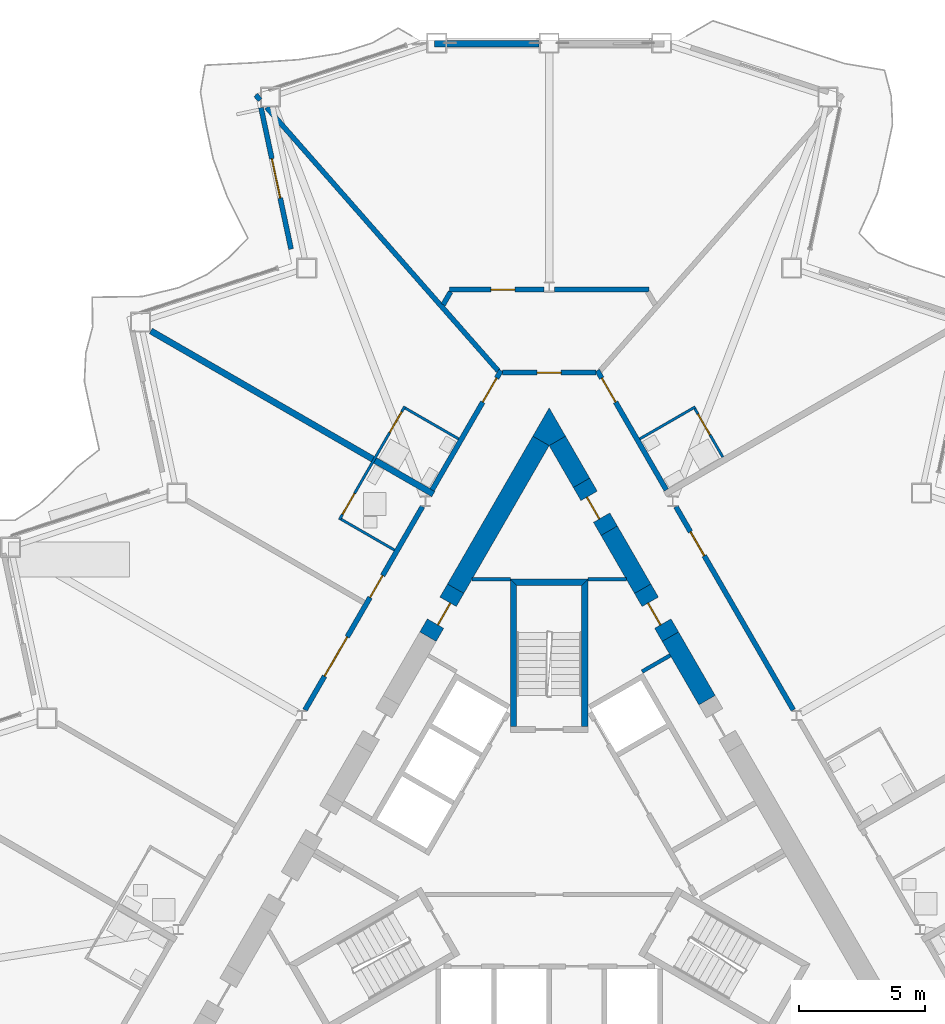
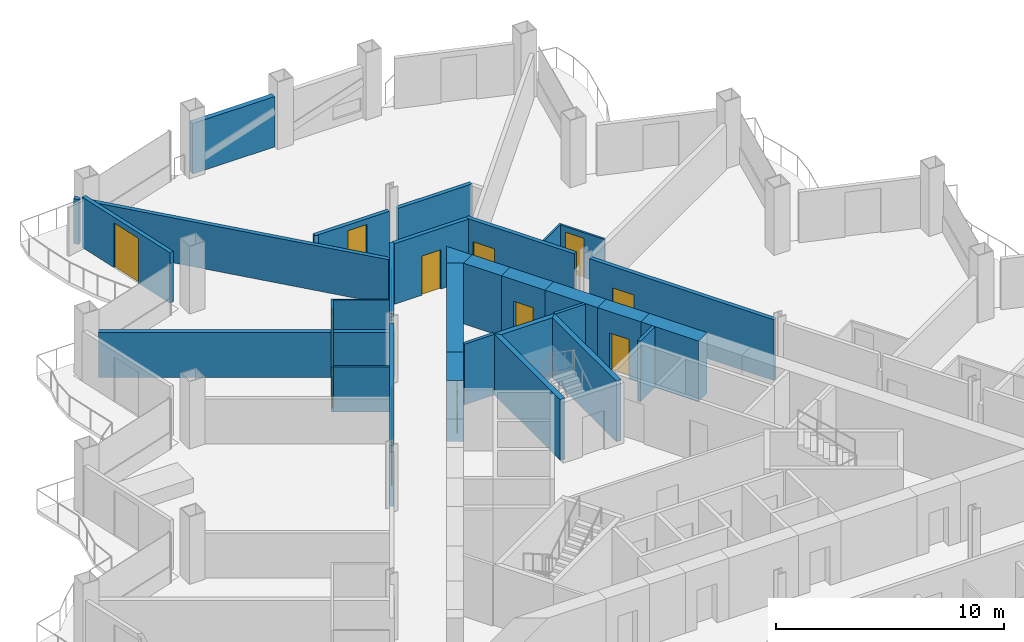
# One storey, part 14 of 23: 32 walls, 14 doors, 14 openings.
"""IFC4 building model written with IfcOpenShell, lengths in metres."""

from ifc_helpers import new_model, si_unit, direction, frame, frame_2d, origin, place, context, subcontext, project, spatial, polyline, rectangle, outline, extrude, material, layer, layer_set, type_object, element, fill, save


model = new_model("IFC4")

# Units and contexts
model_context = context("Model", 3, precision=1e-05, world=origin(), true_north=direction((0.0, 1.0)))
body_context = subcontext(model_context, "Body", "Model", "MODEL_VIEW")
ifc_project = project(units=[si_unit("LENGTHUNIT", "METRE"), si_unit("AREAUNIT", "SQUARE_METRE"), si_unit("VOLUMEUNIT", "CUBIC_METRE"), si_unit("PLANEANGLEUNIT", "RADIAN"), si_unit("MASSUNIT", "GRAM", prefix="KILO")], contexts=[model_context])

# Site, building, storey
site_placement = place(None, origin())
site = spatial("IfcSite", under=ifc_project, at=site_placement, CompositionType="ELEMENT")
building_placement = place(site_placement, origin())
building = spatial("IfcBuilding", under=site, at=building_placement, Name="Cormorant Prow Tower", CompositionType="ELEMENT")
storey_placement = place(building_placement, frame((0.0, 0.0, 176.39990234375)))
storey = spatial("IfcBuildingStorey", under=building, at=storey_placement, Name="L37", CompositionType="ELEMENT", Elevation=176.39990234375)

# Walls
ifc_material_1 = material(Name="Gypsum board partition")
ifc_layer_1 = layer(ifc_material_1, 0.14990234375)
ifc_layer_set_1 = layer_set([ifc_layer_1], Name="Gypsum board partition")
wall_type_1 = type_object("IfcWallType", Name="Core partition 150", PredefinedType="PARTITIONING", material=ifc_layer_set_1)
wall_1_placement = place(storey_placement, frame((3.693359375, 7.4150390625, 0.0), z_axis=(0.0, 0.0, 1.0), x_axis=(0.866003189247, 0.500038474733, 0.0)))
element("IfcWall", 1, at=wall_1_placement, inside=storey, type_object=wall_type_1, Name="Service room partition", PredefinedType="PARTITIONING", context=body_context, shape_type="SweptSolid", body=[
    extrude(rectangle(XDim=1.29296875, YDim=0.14990234375, at=frame_2d((0.646484375, 0.0))), origin(), (0.0, 0.0, 1.0), 3.25),
])
for number, where, z_axis, x_axis, name in (
    (2, (1.5439453125, 11.0869140625, 0.0), (0.0, 0.0, 1.0), (1.0, 0.0, 0.0), "Service room partition"),
    (3, (-1.5439453125, 11.0869140625, 0.0), (0.0, 0.0, 1.0), (-1.0, 0.0, 0.0), "Service room partition"),
):
    element("IfcWall", number, at=place(storey_placement, frame(where, z_axis=z_axis, x_axis=x_axis)), inside=storey, type_object=wall_type_1, Name=name, PredefinedType="PARTITIONING", context=body_context, shape_type="SweptSolid", body=[
        extrude(rectangle(XDim=1.5224609375, YDim=0.14990234375, at=frame_2d((0.76123046875, 0.0))), origin(), (0.0, 0.0, 1.0), 3.25),
    ])
ifc_material_2 = material(Name="Concrete 8000 psi", Category="concrete")
ifc_layer_2 = layer(ifc_material_2, 0.75)
ifc_layer_set_2 = layer_set([ifc_layer_2], Name="Concrete 8000 psi")
wall_type_2 = type_object("IfcWallType", Name="Core shear wall 750", PredefinedType="SHEAR", material=ifc_layer_set_2)
wall_2_placement = place(storey_placement, frame((6.275390625, 6.27880859375, 0.0), z_axis=(0.0, 0.0, 1.0), x_axis=(-0.500029273391, 0.866008502124, 0.0)))
element("IfcWall", 4, at=wall_2_placement, inside=storey, type_object=wall_type_2, Name="Core wall", PredefinedType="SHEAR", context=body_context, shape_type="SweptSolid", body=[
    extrude(rectangle(XDim=2.915771484375, YDim=0.75, at=frame_2d((1.4580078125, 0.0))), origin(), (0.0, 0.0, 1.0), 3.25),
])
wall_3_placement = place(storey_placement, frame((3.71728515625, 10.709228515625, 0.0), z_axis=(0.0, 0.0, 1.0), x_axis=(-0.500005599468, 0.866022170906, 0.0)))
element("IfcWall", 5, at=wall_3_placement, inside=storey, type_object=wall_type_2, Name="Core wall", PredefinedType="SHEAR", context=body_context, shape_type="SweptSolid", body=[
    extrude(rectangle(XDim=2.662109375, YDim=0.75, at=frame_2d((1.3310546875, 0.0))), origin(), (0.0, 0.0, 1.0), 3.25),
])
wall_4_placement = place(storey_placement, frame((1.286376953125, 14.919921875, 0.0), z_axis=(0.0, 0.0, 1.0), x_axis=(-0.500030129425, 0.866008007854, 0.0)))
element("IfcWall", 6, at=wall_4_placement, inside=storey, type_object=wall_type_2, Name="Core wall", PredefinedType="SHEAR", context=body_context, shape_type="SweptSolid", body=[
    extrude(rectangle(XDim=1.92333984375, YDim=0.75, at=frame_2d((0.961669921875, 0.0))), origin(), (0.0, 0.0, 1.0), 3.25),
])
wall_5_placement = place(storey_placement, frame((-0.32470703125, 16.58544921875, 0.0), z_axis=(0.0, 0.0, 1.0), x_axis=(-0.499993425452, -0.866029199568, 0.0)))
element("IfcWall", 7, at=wall_5_placement, inside=storey, type_object=wall_type_2, Name="Core wall", PredefinedType="SHEAR", context=body_context, shape_type="SweptSolid", body=[
    extrude(rectangle(XDim=6.78515625, YDim=0.75, at=frame_2d((3.392578125, 0.0))), origin(), (0.0, 0.0, 1.0), 3.25),
])
wall_6_placement = place(storey_placement, origin())
element("IfcWall", 8, at=wall_6_placement, inside=storey, type_object=wall_type_2, Name="Core wall corner", PredefinedType="SHEAR", context=body_context, shape_type="SweptSolid", body=[
    extrude(outline(polyline([(-0.6494140625, 16.77294921875), (0.0, 17.89794921875), (0.6494140625, 16.77294921875), (0.0, 16.39794921875), (-0.6494140625, 16.77294921875)])), origin(), (0.0, 0.0, 1.0), 3.25),
])

# Wall, opening, door
wall_7_placement = place(storey_placement, frame((2.38623046875, 13.0146484375, 0.0), z_axis=(0.0, 0.0, 1.0), x_axis=(-0.499946605688, 0.86605622881, 0.0)))
wall_7 = element("IfcWall", 9, at=wall_7_placement, inside=storey, type_object=wall_type_2, Name="Core wall door panel", PredefinedType="SHEAR", context=body_context, shape_type="SweptSolid", body=[
    extrude(rectangle(XDim=2.199951171875, YDim=0.75, at=frame_2d((1.10009765625, 0.0))), origin(), (0.0, 0.0, 1.0), 3.25),
])
opening_1_placement = place(wall_7_placement, frame((0.60009765625, 0.0, 0.0)))
opening_1 = element("IfcOpeningElement", 10, at=opening_1_placement, cuts=wall_7, Name="Opening L37-C20", PredefinedType="OPENING", context=body_context, shape_type="SweptSolid", body=[
    extrude(rectangle(XDim=1.0, YDim=2.10009765625, at=frame_2d((0.5, 1.050048828125))), frame((0.0, 0.385009765625, 0.0), z_axis=(0.0, -1.0, 0.0), x_axis=(1.0, 0.0, 0.0)), (0.0, 0.0, 1.0), 0.77001953125),
])
ifc_material_3 = material(Name="Painted steel", Category="steel")
door_type_1 = type_object("IfcDoorType", Name="Service door 1000x2100", OperationType="NOTDEFINED", PredefinedType="DOOR", material=ifc_material_3)
door_1_placement = place(opening_1_placement, origin())
door_1 = element("IfcDoor", 11, at=door_1_placement, inside=storey, type_object=door_type_1, Name="Core door, Mechanical riser room", OperationType="SINGLE_SWING_LEFT", OverallHeight=2.10009765625, OverallWidth=1.0, PredefinedType="DOOR", context=body_context, shape_type="SweptSolid", body=[
    extrude(rectangle(XDim=1.0, YDim=2.10009765625, at=frame_2d((0.5, 1.050048828125))), frame((0.0, 0.1298828125, 0.0), z_axis=(0.0, -1.0, 0.0), x_axis=(1.0, 0.0, 0.0)), (0.0, 0.0, 1.0), 0.050048828125),
])
fill(opening_1, door_1)

wall_8_placement = place(storey_placement, frame((4.8173828125, 8.803955078125, 0.0), z_axis=(0.0, 0.0, 1.0), x_axis=(-0.50002983664, 0.866008176907, 0.0)))
wall_8 = element("IfcWall", 12, at=wall_8_placement, inside=storey, type_object=wall_type_2, Name="Core wall door panel", PredefinedType="SHEAR", context=body_context, shape_type="SweptSolid", body=[
    extrude(rectangle(XDim=2.199951171875, YDim=0.75, at=frame_2d((1.10009765625, 0.0))), origin(), (0.0, 0.0, 1.0), 3.25),
])
opening_2_placement = place(wall_8_placement, frame((0.60009765625, 0.0, 0.0)))
opening_2 = element("IfcOpeningElement", 13, at=opening_2_placement, cuts=wall_8, Name="Opening L37-C23", PredefinedType="OPENING", context=body_context, shape_type="SweptSolid", body=[
    extrude(rectangle(XDim=1.0, YDim=2.10009765625, at=frame_2d((0.5, 1.050048828125))), frame((0.0, 0.385009765625, 0.0), z_axis=(0.0, -1.0, 0.0), x_axis=(1.0, 0.0, 0.0)), (0.0, 0.0, 1.0), 0.77001953125),
])
door_2_placement = place(opening_2_placement, origin())
door_2 = element("IfcDoor", 14, at=door_2_placement, inside=storey, type_object=door_type_1, Name="Core door, Mechanical riser room", OperationType="SINGLE_SWING_LEFT", OverallHeight=2.10009765625, OverallWidth=1.0, PredefinedType="DOOR", context=body_context, shape_type="SweptSolid", body=[
    extrude(rectangle(XDim=1.0, YDim=2.10009765625, at=frame_2d((0.5, 1.050048828125))), frame((0.0, 0.1298828125, 0.0), z_axis=(0.0, -1.0, 0.0), x_axis=(1.0, 0.0, 0.0)), (0.0, 0.0, 1.0), 0.050048828125),
])
fill(opening_2, door_2)

wall_9_placement = place(storey_placement, frame((-3.71728515625, 10.709228515625, 0.0), z_axis=(0.0, 0.0, 1.0), x_axis=(-0.50002983664, -0.866008176907, 0.0)))
wall_9 = element("IfcWall", 15, at=wall_9_placement, inside=storey, type_object=wall_type_2, Name="Core wall door panel", PredefinedType="SHEAR", context=body_context, shape_type="SweptSolid", body=[
    extrude(rectangle(XDim=2.199951171875, YDim=0.75, at=frame_2d((1.10009765625, 0.0))), origin(), (0.0, 0.0, 1.0), 3.25),
])
opening_3_placement = place(wall_9_placement, frame((0.60009765625, 0.0, 0.0)))
opening_3 = element("IfcOpeningElement", 16, at=opening_3_placement, cuts=wall_9, Name="Opening L37-C24", PredefinedType="OPENING", context=body_context, shape_type="SweptSolid", body=[
    extrude(rectangle(XDim=1.0, YDim=2.10009765625, at=frame_2d((0.5, 1.050048828125))), frame((0.0, 0.385009765625, 0.0), z_axis=(0.0, -1.0, 0.0), x_axis=(1.0, 0.0, 0.0)), (0.0, 0.0, 1.0), 0.77001953125),
])
door_3_placement = place(opening_3_placement, origin())
door_3 = element("IfcDoor", 17, at=door_3_placement, inside=storey, type_object=door_type_1, Name="Core door, Mechanical riser room", OperationType="SINGLE_SWING_RIGHT", OverallHeight=2.10009765625, OverallWidth=1.0, PredefinedType="DOOR", context=body_context, shape_type="SweptSolid", body=[
    extrude(rectangle(XDim=1.0, YDim=2.10009765625, at=frame_2d((0.5, 1.050048828125))), frame((0.0, 0.1298828125, 0.0), z_axis=(0.0, -1.0, 0.0), x_axis=(1.0, 0.0, 0.0)), (0.0, 0.0, 1.0), 0.050048828125),
])
fill(opening_3, door_3)

ifc_material_4 = material(Name="Gypsum board corridor wall")
ifc_layer_3 = layer(ifc_material_4, 0.199951171875)
ifc_layer_set_3 = layer_set([ifc_layer_3], Name="Gypsum board corridor wall")
wall_type_3 = type_object("IfcWallType", Name="Corridor wall 200", PredefinedType="PARTITIONING", material=ifc_layer_set_3)
wall_10_placement = place(storey_placement, frame((5.03759765625, 13.972412109375, 0.0), z_axis=(0.0, 0.0, 1.0), x_axis=(0.50000393355, -0.866023132736, 0.0)))
wall_10 = element("IfcWall", 18, at=wall_10_placement, inside=storey, type_object=wall_type_3, Name="Corridor wall", PredefinedType="PARTITIONING", context=body_context, shape_type="SweptSolid", body=[
    extrude(rectangle(XDim=9.3349609375, YDim=0.199951171875, at=frame_2d((4.66748046875, 0.0))), origin(), (0.0, 0.0, 1.0), 3.25),
])
opening_4_placement = place(wall_10_placement, frame((1.154052734375, 0.0, 0.0)))
opening_4 = element("IfcOpeningElement", 19, at=opening_4_placement, cuts=wall_10, Name="Opening L37-F18", PredefinedType="OPENING", context=body_context, shape_type="SweptSolid", body=[
    extrude(rectangle(XDim=1.10009765625, YDim=2.10009765625, at=frame_2d((0.550048828125, 1.050048828125))), frame((0.0, 0.10986328125, 0.0), z_axis=(0.0, -1.0, 0.0), x_axis=(1.0, 0.0, 0.0)), (0.0, 0.0, 1.0), 0.219970703125),
])
ifc_material_5 = material(Name="Timber door leaf", Category="wood")
door_type_2 = type_object("IfcDoorType", Name="Suite entrance door 1100x2100", OperationType="NOTDEFINED", PredefinedType="DOOR", material=ifc_material_5)
door_4_placement = place(opening_4_placement, origin())
door_4 = element("IfcDoor", 20, at=door_4_placement, inside=storey, type_object=door_type_2, Name="Executive suite bedroom door", OperationType="SINGLE_SWING_LEFT", OverallHeight=2.10009765625, OverallWidth=1.10009765625, PredefinedType="DOOR", context=body_context, shape_type="SweptSolid", body=[
    extrude(rectangle(XDim=1.10009765625, YDim=2.10009765625, at=frame_2d((0.550048828125, 1.050048828125))), frame((0.0, 0.02490234375, 0.0), z_axis=(0.0, -1.0, 0.0), x_axis=(1.0, 0.0, 0.0)), (0.0, 0.0, 1.0), 0.050048828125),
])
fill(opening_4, door_4)

# Wall, openings, doors
wall_11_placement = place(storey_placement, frame((-9.705078125, 5.88818359375, 0.0), z_axis=(0.0, 0.0, 1.0), x_axis=(0.50000393355, 0.866023132736, 0.0)))
wall_11 = element("IfcWall", 21, at=wall_11_placement, inside=storey, type_object=wall_type_3, Name="Corridor wall", PredefinedType="PARTITIONING", context=body_context, shape_type="SweptSolid", body=[
    extrude(rectangle(XDim=9.3349609375, YDim=0.199951171875, at=frame_2d((4.66748046875, 0.0))), origin(), (0.0, 0.0, 1.0), 3.25),
])
opening_5_placement = place(wall_11_placement, frame((5.171875, 0.0, 0.0)))
opening_5 = element("IfcOpeningElement", 22, at=opening_5_placement, cuts=wall_11, Name="Opening L37-F26", PredefinedType="OPENING", context=body_context, shape_type="SweptSolid", body=[
    extrude(rectangle(XDim=1.0, YDim=2.10009765625, at=frame_2d((0.5, 1.050048828125))), frame((0.0, 0.10986328125, 0.0), z_axis=(0.0, -1.0, 0.0), x_axis=(1.0, 0.0, 0.0)), (0.0, 0.0, 1.0), 0.219970703125),
])
opening_6_placement = place(wall_11_placement, frame((1.556396484375, 0.0, 0.0)))
opening_6 = element("IfcOpeningElement", 23, at=opening_6_placement, cuts=wall_11, Name="Opening L37-F28", PredefinedType="OPENING", context=body_context, shape_type="SweptSolid", body=[
    extrude(rectangle(XDim=1.800048828125, YDim=2.10009765625, at=frame_2d((0.89990234375, 1.050048828125))), frame((0.0, 0.10986328125, 0.0), z_axis=(0.0, -1.0, 0.0), x_axis=(1.0, 0.0, 0.0)), (0.0, 0.0, 1.0), 0.219970703125),
])
ifc_material_6 = material(Name="Timber door leaf", Category="wood")
door_type_3 = type_object("IfcDoorType", Name="Double door 1800x2100", OperationType="DOUBLE_DOOR_SINGLE_SWING", PredefinedType="DOOR", material=ifc_material_6)
door_5_placement = place(opening_6_placement, origin())
door_5 = element("IfcDoor", 24, at=door_5_placement, inside=storey, type_object=door_type_3, Name="Library door", OperationType="DOUBLE_DOOR_SINGLE_SWING", OverallHeight=2.10009765625, OverallWidth=1.800048828125, PredefinedType="DOOR", context=body_context, shape_type="SweptSolid", body=[
    extrude(rectangle(XDim=1.800048828125, YDim=2.10009765625, at=frame_2d((0.89990234375, 1.050048828125))), frame((0.0, 0.02490234375, 0.0), z_axis=(0.0, -1.0, 0.0), x_axis=(1.0, 0.0, 0.0)), (0.0, 0.0, 1.0), 0.050048828125),
])
fill(opening_6, door_5)
ifc_material_7 = material(Name="Timber door leaf", Category="wood")
door_type_4 = type_object("IfcDoorType", Name="Flat or room entrance door 1000x2100", OperationType="NOTDEFINED", PredefinedType="DOOR", material=ifc_material_7)
door_6_placement = place(opening_5_placement, origin())
door_6 = element("IfcDoor", 25, at=door_6_placement, inside=storey, type_object=door_type_4, Name="Guest room door", OperationType="SINGLE_SWING_LEFT", OverallHeight=2.10009765625, OverallWidth=1.0, PredefinedType="DOOR", context=body_context, shape_type="SweptSolid", body=[
    extrude(rectangle(XDim=1.0, YDim=2.10009765625, at=frame_2d((0.5, 1.050048828125))), frame((0.0, 0.02490234375, 0.0), z_axis=(0.0, -1.0, 0.0), x_axis=(1.0, 0.0, 0.0)), (0.0, 0.0, 1.0), 0.050048828125),
])
fill(opening_5, door_6)

# Wall, opening, door
wall_12_placement = place(storey_placement, frame((1.9130859375, 19.384521484375, 0.0), z_axis=(0.0, 0.0, 1.0), x_axis=(0.499988331988, -0.866032140209, 0.0)))
wall_12 = element("IfcWall", 26, at=wall_12_placement, inside=storey, type_object=wall_type_3, Name="Corridor wall", PredefinedType="PARTITIONING", context=body_context, shape_type="SweptSolid", body=[
    extrude(rectangle(XDim=5.484619140625, YDim=0.199951171875, at=frame_2d((2.7421875, 0.0))), origin(), (0.0, 0.0, 1.0), 3.25),
])
opening_7_placement = place(wall_12_placement, frame((0.352294921875, 0.0, 0.0)))
opening_7 = element("IfcOpeningElement", 27, at=opening_7_placement, cuts=wall_12, Name="Opening L37-F20", PredefinedType="OPENING", context=body_context, shape_type="SweptSolid", body=[
    extrude(rectangle(XDim=1.10009765625, YDim=2.10009765625, at=frame_2d((0.550048828125, 1.050048828125))), frame((0.0, 0.10986328125, 0.0), z_axis=(0.0, -1.0, 0.0), x_axis=(1.0, 0.0, 0.0)), (0.0, 0.0, 1.0), 0.219970703125),
])
door_7_placement = place(opening_7_placement, origin())
door_7 = element("IfcDoor", 28, at=door_7_placement, inside=storey, type_object=door_type_2, Name="Junior suite door", OperationType="SINGLE_SWING_LEFT", OverallHeight=2.10009765625, OverallWidth=1.10009765625, PredefinedType="DOOR", context=body_context, shape_type="SweptSolid", body=[
    extrude(rectangle(XDim=1.10009765625, YDim=2.10009765625, at=frame_2d((0.550048828125, 1.050048828125))), frame((0.0, 0.02490234375, 0.0), z_axis=(0.0, -1.0, 0.0), x_axis=(1.0, 0.0, 0.0)), (0.0, 0.0, 1.0), 0.050048828125),
])
fill(opening_7, door_7)

wall_13_placement = place(storey_placement, frame((-4.6552734375, 14.634765625, 0.0), z_axis=(0.0, 0.0, 1.0), x_axis=(0.499988331988, 0.866032140209, 0.0)))
wall_13 = element("IfcWall", 29, at=wall_13_placement, inside=storey, type_object=wall_type_3, Name="Corridor wall", PredefinedType="PARTITIONING", context=body_context, shape_type="SweptSolid", body=[
    extrude(rectangle(XDim=5.484619140625, YDim=0.199951171875, at=frame_2d((2.7421875, 0.0))), origin(), (0.0, 0.0, 1.0), 3.25),
])
opening_8_placement = place(wall_13_placement, frame((4.0322265625, 0.0, 0.0)))
opening_8 = element("IfcOpeningElement", 30, at=opening_8_placement, cuts=wall_13, Name="Opening L37-F24", PredefinedType="OPENING", context=body_context, shape_type="SweptSolid", body=[
    extrude(rectangle(XDim=1.10009765625, YDim=2.10009765625, at=frame_2d((0.550048828125, 1.050048828125))), frame((0.0, 0.10986328125, 0.0), z_axis=(0.0, -1.0, 0.0), x_axis=(1.0, 0.0, 0.0)), (0.0, 0.0, 1.0), 0.219970703125),
])
door_8_placement = place(opening_8_placement, origin())
door_8 = element("IfcDoor", 31, at=door_8_placement, inside=storey, type_object=door_type_2, Name="Junior suite door", OperationType="SINGLE_SWING_RIGHT", OverallHeight=2.10009765625, OverallWidth=1.10009765625, PredefinedType="DOOR", context=body_context, shape_type="SweptSolid", body=[
    extrude(rectangle(XDim=1.10009765625, YDim=2.10009765625, at=frame_2d((0.550048828125, 1.050048828125))), frame((0.0, 0.02490234375, 0.0), z_axis=(0.0, -1.0, 0.0), x_axis=(1.0, 0.0, 0.0)), (0.0, 0.0, 1.0), 0.050048828125),
])
fill(opening_8, door_8)

wall_14_placement = place(storey_placement, frame((-1.863037109375, 19.2978515625, 0.0), z_axis=(0.0, 0.0, 1.0), x_axis=(1.0, 0.0, 0.0)))
wall_14 = element("IfcWall", 32, at=wall_14_placement, inside=storey, type_object=wall_type_3, Name="Corridor wall", PredefinedType="PARTITIONING", context=body_context, shape_type="SweptSolid", body=[
    extrude(rectangle(XDim=3.72607421875, YDim=0.199951171875, at=frame_2d((1.863037109375, 0.0))), origin(), (0.0, 0.0, 1.0), 3.25),
])
opening_9_placement = place(wall_14_placement, frame((1.387939453125, 0.0, 0.0)))
opening_9 = element("IfcOpeningElement", 33, at=opening_9_placement, cuts=wall_14, Name="Opening L37-F22", PredefinedType="OPENING", context=body_context, shape_type="SweptSolid", body=[
    extrude(rectangle(XDim=0.949951171875, YDim=2.10009765625, at=frame_2d((0.47509765625, 1.050048828125))), frame((0.0, 0.10986328125, 0.0), z_axis=(0.0, -1.0, 0.0), x_axis=(1.0, 0.0, 0.0)), (0.0, 0.0, 1.0), 0.219970703125),
])
ifc_material_8 = material(Name="Timber door leaf", Category="wood")
door_type_5 = type_object("IfcDoorType", Name="Store door 950x2100", OperationType="NOTDEFINED", PredefinedType="DOOR", material=ifc_material_8)
door_9_placement = place(opening_9_placement, origin())
door_9 = element("IfcDoor", 34, at=door_9_placement, inside=storey, type_object=door_type_5, Name="Housekeeping room door", OperationType="SINGLE_SWING_RIGHT", OverallHeight=2.10009765625, OverallWidth=0.949951171875, PredefinedType="DOOR", context=body_context, shape_type="SweptSolid", body=[
    extrude(rectangle(XDim=0.949951171875, YDim=2.10009765625, at=frame_2d((0.47509765625, 1.050048828125))), frame((0.0, 0.02490234375, 0.0), z_axis=(0.0, -1.0, 0.0), x_axis=(1.0, 0.0, 0.0)), (0.0, 0.0, 1.0), 0.050048828125),
])
fill(opening_9, door_9)

# Wall
ifc_material_9 = material(Name="Gypsum board demising wall")
ifc_layer_4 = layer(ifc_material_9, 0.199951171875)
ifc_layer_set_4 = layer_set([ifc_layer_4], Name="Gypsum board demising wall")
wall_type_4 = type_object("IfcWallType", Name="Demising wall 200", PredefinedType="PARTITIONING", material=ifc_layer_set_4)
wall_15_placement = place(storey_placement, frame((-11.23095703125, 29.841796875, 0.0), z_axis=(0.0, 0.0, 1.0), x_axis=(0.66019067586, -0.751098043871, 0.0)))
element("IfcWall", 35, at=wall_15_placement, inside=storey, type_object=wall_type_4, Name="Demising wall", PredefinedType="PARTITIONING", context=body_context, shape_type="SweptSolid", body=[
    extrude(rectangle(XDim=13.938232421875, YDim=0.199951171875, at=frame_2d((6.96923828125, 0.0))), origin(), (0.0, 0.0, 1.0), 2.404296875),
])

# Wall, opening, door
wall_16_placement = place(storey_placement, frame((-3.96826171875, 22.597900390625, 0.0), z_axis=(0.0, 0.0, 1.0), x_axis=(1.0, 0.0, 0.0)))
wall_16 = element("IfcWall", 36, at=wall_16_placement, inside=storey, type_object=wall_type_4, Name="Demising wall", PredefinedType="PARTITIONING", context=body_context, shape_type="SweptSolid", body=[
    extrude(rectangle(XDim=3.754638671875, YDim=0.199951171875, at=frame_2d((1.87744140625, 0.0))), origin(), (0.0, 0.0, 1.0), 2.404296875),
])
opening_10_placement = place(wall_16_placement, frame((1.65283203125, 0.0, 0.0)))
opening_10 = element("IfcOpeningElement", 37, at=opening_10_placement, cuts=wall_16, Name="Opening L37-F23", PredefinedType="OPENING", context=body_context, shape_type="SweptSolid", body=[
    extrude(rectangle(XDim=0.949951171875, YDim=2.10009765625, at=frame_2d((0.47509765625, 1.050048828125))), frame((0.0, 0.10986328125, 0.0), z_axis=(0.0, -1.0, 0.0), x_axis=(1.0, 0.0, 0.0)), (0.0, 0.0, 1.0), 0.219970703125),
])
door_10_placement = place(opening_10_placement, origin())
door_10 = element("IfcDoor", 38, at=door_10_placement, inside=storey, type_object=door_type_5, Name="Ice and vending room door", OperationType="SINGLE_SWING_RIGHT", OverallHeight=2.10009765625, OverallWidth=0.949951171875, PredefinedType="DOOR", context=body_context, shape_type="SweptSolid", body=[
    extrude(rectangle(XDim=0.949951171875, YDim=2.10009765625, at=frame_2d((0.47509765625, 1.050048828125))), frame((0.0, 0.02490234375, 0.0), z_axis=(0.0, -1.0, 0.0), x_axis=(1.0, 0.0, 0.0)), (0.0, 0.0, 1.0), 0.050048828125),
])
fill(opening_10, door_10)

# Walls
wall_17_placement = place(storey_placement, frame((0.213623046875, 22.597900390625, 0.0), z_axis=(0.0, 0.0, 1.0), x_axis=(1.0, 0.0, 0.0)))
element("IfcWall", 39, at=wall_17_placement, inside=storey, type_object=wall_type_4, Name="Demising wall", PredefinedType="PARTITIONING", context=body_context, shape_type="SweptSolid", body=[
    extrude(rectangle(XDim=3.754638671875, YDim=0.199951171875, at=frame_2d((1.87744140625, 0.0))), origin(), (0.0, 0.0, 1.0), 2.404296875),
])
wall_18_placement = place(storey_placement, frame((-4.212890625, 22.0009765625, 0.0), z_axis=(0.0, 0.0, 1.0), x_axis=(0.500105011351, 0.865964766963, 0.0)))
element("IfcWall", 40, at=wall_18_placement, inside=storey, type_object=wall_type_4, Name="Demising wall", PredefinedType="PARTITIONING", context=body_context, shape_type="SweptSolid", body=[
    extrude(rectangle(XDim=0.589111328125, YDim=0.199951171875, at=frame_2d((0.29443359375, 0.0))), origin(), (0.0, 0.0, 1.0), 2.404296875),
])
wall_19_placement = place(storey_placement, frame((-11.6640625, 30.334716796875, 0.0), z_axis=(0.0, 0.0, 1.0), x_axis=(0.660272933047, -0.751025734503, 0.0)))
element("IfcWall", 41, at=wall_19_placement, inside=storey, type_object=wall_type_4, Name="Demising wall", PredefinedType="PARTITIONING", context=body_context, shape_type="SweptSolid", body=[
    extrude(rectangle(XDim=0.263671875, YDim=0.199951171875, at=frame_2d((0.1318359375, 0.0))), origin(), (0.0, 0.0, 1.0), 2.404296875),
])

# Wall, openings, doors
ifc_material_10 = material(Name="Gypsum board partition")
ifc_layer_5 = layer(ifc_material_10, 0.10009765625)
ifc_layer_set_5 = layer_set([ifc_layer_5], Name="Gypsum board partition")
wall_type_5 = type_object("IfcWallType", Name="Internal partition 100", PredefinedType="PARTITIONING", material=ifc_layer_set_5)
wall_20_placement = place(storey_placement, frame((-8.33935546875, 13.45361328125, 0.0), z_axis=(0.0, 0.0, 1.0), x_axis=(0.499992051641, 0.866029992723, 0.0)))
wall_20 = element("IfcWall", 42, at=wall_20_placement, inside=storey, type_object=wall_type_5, Name="Internal partition", PredefinedType="PARTITIONING", context=body_context, shape_type="SweptSolid", body=[
    extrude(rectangle(XDim=5.19970703125, YDim=0.10009765625, at=frame_2d((2.599853515625, 0.0))), origin(), (0.0, 0.0, 1.0), 2.404296875),
])
opening_11_placement = place(wall_20_placement, frame((4.0, 0.0, 0.0)))
opening_11 = element("IfcOpeningElement", 43, at=opening_11_placement, cuts=wall_20, Name="Opening L37-F25", PredefinedType="OPENING", context=body_context, shape_type="SweptSolid", body=[
    extrude(rectangle(XDim=0.949951171875, YDim=2.10009765625, at=frame_2d((0.47509765625, 1.050048828125))), frame((0.0, 0.06005859375, 0.0), z_axis=(0.0, -1.0, 0.0), x_axis=(1.0, 0.0, 0.0)), (0.0, 0.0, 1.0), 0.1201171875),
])
opening_12_placement = place(wall_20_placement, frame((0.25, 0.0, 0.0)))
opening_12 = element("IfcOpeningElement", 44, at=opening_12_placement, cuts=wall_20, Name="Opening L37-F27", PredefinedType="OPENING", context=body_context, shape_type="SweptSolid", body=[
    extrude(rectangle(XDim=0.949951171875, YDim=2.10009765625, at=frame_2d((0.47509765625, 1.050048828125))), frame((0.0, 0.06005859375, 0.0), z_axis=(0.0, -1.0, 0.0), x_axis=(1.0, 0.0, 0.0)), (0.0, 0.0, 1.0), 0.1201171875),
])
ifc_material_11 = material(Name="Timber door leaf", Category="wood")
door_type_6 = type_object("IfcDoorType", Name="Bathroom door 950x2100", OperationType="NOTDEFINED", PredefinedType="DOOR", material=ifc_material_11)
door_11_placement = place(opening_11_placement, origin())
door_11 = element("IfcDoor", 45, at=door_11_placement, inside=storey, type_object=door_type_6, Name="Junior suite door", OperationType="SINGLE_SWING_RIGHT", OverallHeight=2.10009765625, OverallWidth=0.949951171875, PredefinedType="DOOR", context=body_context, shape_type="SweptSolid", body=[
    extrude(rectangle(XDim=0.949951171875, YDim=2.10009765625, at=frame_2d((0.47509765625, 1.050048828125))), frame((0.0, 0.02490234375, 0.0), z_axis=(0.0, -1.0, 0.0), x_axis=(1.0, 0.0, 0.0)), (0.0, 0.0, 1.0), 0.050048828125),
])
fill(opening_11, door_11)
door_12_placement = place(opening_12_placement, origin())
door_12 = element("IfcDoor", 46, at=door_12_placement, inside=storey, type_object=door_type_6, Name="Guest room door", OperationType="SINGLE_SWING_LEFT", OverallHeight=2.10009765625, OverallWidth=0.949951171875, PredefinedType="DOOR", context=body_context, shape_type="SweptSolid", body=[
    extrude(rectangle(XDim=0.949951171875, YDim=2.10009765625, at=frame_2d((0.47509765625, 1.050048828125))), frame((0.0, 0.02490234375, 0.0), z_axis=(0.0, -1.0, 0.0), x_axis=(1.0, 0.0, 0.0)), (0.0, 0.0, 1.0), 0.050048828125),
])
fill(opening_12, door_12)

# Walls
wall_21_placement = place(storey_placement, frame((-8.27099609375, 13.471923828125, 0.0), z_axis=(0.0, 0.0, 1.0), x_axis=(0.865989751695, -0.500061746146, 0.0)))
element("IfcWall", 47, at=wall_21_placement, inside=storey, type_object=wall_type_5, Name="Internal partition", PredefinedType="PARTITIONING", context=body_context, shape_type="SweptSolid", body=[
    extrude(rectangle(XDim=2.449951171875, YDim=0.10009765625, at=frame_2d((1.22509765625, 0.0))), origin(), (0.0, 0.0, 1.0), 2.404296875),
])
wall_22_placement = place(storey_placement, frame((3.599365234375, 16.66357421875, 0.0), z_axis=(0.0, 0.0, 1.0), x_axis=(0.865989465428, 0.500062241894, 0.0)))
element("IfcWall", 48, at=wall_22_placement, inside=storey, type_object=wall_type_5, Name="Internal partition", PredefinedType="PARTITIONING", context=body_context, shape_type="SweptSolid", body=[
    extrude(rectangle(XDim=2.550048828125, YDim=0.10009765625, at=frame_2d((1.27490234375, 0.0))), origin(), (0.0, 0.0, 1.0), 2.404296875),
])
wall_23_placement = place(storey_placement, frame((-5.72119140625, 17.888671875, 0.0), z_axis=(0.0, 0.0, 1.0), x_axis=(0.866014668023, -0.500018594424, 0.0)))
element("IfcWall", 49, at=wall_23_placement, inside=storey, type_object=wall_type_5, Name="Internal partition", PredefinedType="PARTITIONING", context=body_context, shape_type="SweptSolid", body=[
    extrude(rectangle(XDim=2.4501953125, YDim=0.10009765625, at=frame_2d((1.22509765625, 0.0))), origin(), (0.0, 0.0, 1.0), 2.404296875),
])

# Wall, opening, door
wall_24_placement = place(storey_placement, frame((5.789306640625, 17.870361328125, 0.0), z_axis=(0.0, 0.0, 1.0), x_axis=(0.49999788721, -0.866026623601, 0.0)))
wall_24 = element("IfcWall", 50, at=wall_24_placement, inside=storey, type_object=wall_type_5, Name="Internal partition", PredefinedType="PARTITIONING", context=body_context, shape_type="SweptSolid", body=[
    extrude(rectangle(XDim=2.22509765625, YDim=0.10009765625, at=frame_2d((1.112548828125, 0.0))), origin(), (0.0, 0.0, 1.0), 2.404296875),
])
opening_13_placement = place(wall_24_placement, frame((0.25, 0.0, 0.0)))
opening_13 = element("IfcOpeningElement", 51, at=opening_13_placement, cuts=wall_24, Name="Opening L37-F21", PredefinedType="OPENING", context=body_context, shape_type="SweptSolid", body=[
    extrude(rectangle(XDim=0.949951171875, YDim=2.10009765625, at=frame_2d((0.47509765625, 1.050048828125))), frame((0.0, 0.06005859375, 0.0), z_axis=(0.0, -1.0, 0.0), x_axis=(1.0, 0.0, 0.0)), (0.0, 0.0, 1.0), 0.1201171875),
])
door_13_placement = place(opening_13_placement, origin())
door_13 = element("IfcDoor", 52, at=door_13_placement, inside=storey, type_object=door_type_6, Name="Junior suite door", OperationType="SINGLE_SWING_LEFT", OverallHeight=2.10009765625, OverallWidth=0.949951171875, PredefinedType="DOOR", context=body_context, shape_type="SweptSolid", body=[
    extrude(rectangle(XDim=0.949951171875, YDim=2.10009765625, at=frame_2d((0.47509765625, 1.050048828125))), frame((0.0, 0.02490234375, 0.0), z_axis=(0.0, -1.0, 0.0), x_axis=(1.0, 0.0, 0.0)), (0.0, 0.0, 1.0), 0.050048828125),
])
fill(opening_13, door_13)

# Walls
ifc_material_12 = material(Name="Concrete 8000 psi", Category="concrete")
ifc_layer_6 = layer(ifc_material_12, 0.25)
ifc_layer_set_6 = layer_set([ifc_layer_6], Name="Concrete 8000 psi")
wall_type_6 = type_object("IfcWallType", Name="Stair wall 250", PredefinedType="SHEAR", material=ifc_layer_set_6)
wall_25_placement = place(storey_placement, origin())
element("IfcWall", 53, at=wall_25_placement, inside=storey, type_object=wall_type_6, Name="Stair ST3 enclosure wall (flank)", PredefinedType="SHEAR", context=body_context, shape_type="SweptSolid", body=[
    extrude(outline(polyline([(1.5439453125, 5.23681640625), (1.5439453125, 11.0869140625), (1.2939453125, 10.8369140625), (1.2939453125, 5.23681640625), (1.5439453125, 5.23681640625)])), origin(), (0.0, 0.0, 1.0), 3.25),
])
wall_26_placement = place(storey_placement, origin())
element("IfcWall", 54, at=wall_26_placement, inside=storey, type_object=wall_type_6, Name="Stair ST3 enclosure wall (end)", PredefinedType="SHEAR", context=body_context, shape_type="SweptSolid", body=[
    extrude(outline(polyline([(1.5439453125, 11.0869140625), (-1.5439453125, 11.0869140625), (-1.2939453125, 10.8369140625), (1.2939453125, 10.8369140625), (1.5439453125, 11.0869140625)])), origin(), (0.0, 0.0, 1.0), 3.25),
])
wall_27_placement = place(storey_placement, origin())
element("IfcWall", 55, at=wall_27_placement, inside=storey, type_object=wall_type_6, Name="Stair ST3 enclosure wall (flank)", PredefinedType="SHEAR", context=body_context, shape_type="SweptSolid", body=[
    extrude(outline(polyline([(-1.2939453125, 10.8369140625), (-1.5439453125, 11.0869140625), (-1.5439453125, 5.23681640625), (-1.2939453125, 5.23681640625), (-1.2939453125, 10.8369140625)])), origin(), (0.0, 0.0, 1.0), 3.25),
])
ifc_material_13 = material(Name="Acoustic gypsum party wall")
ifc_layer_7 = layer(ifc_material_13, 0.25)
ifc_layer_set_7 = layer_set([ifc_layer_7], Name="Acoustic gypsum party wall")
wall_type_7 = type_object("IfcWallType", Name="Suite party wall 250", PredefinedType="PARTITIONING", material=ifc_layer_set_7)
wall_28_placement = place(storey_placement, frame((-15.834716796875, 20.956298828125, 0.0), z_axis=(0.0, 0.0, 1.0), x_axis=(0.866029765546, -0.499992445131, 0.0)))
element("IfcWall", 56, at=wall_28_placement, inside=storey, type_object=wall_type_7, Name="Suite party wall", PredefinedType="PARTITIONING", context=body_context, shape_type="SweptSolid", body=[
    extrude(rectangle(XDim=12.967529296875, YDim=0.25, at=frame_2d((6.48388671875, 0.0))), origin(), (0.0, 0.0, 1.0), 2.404296875),
])
ifc_material_14 = material(Name="Terracotta", Category="masonry")
ifc_layer_8 = layer(ifc_material_14, 0.25)
ifc_layer_set_8 = layer_set([ifc_layer_8], Name="Terracotta")
wall_type_8 = type_object("IfcWallType", Name="Terracotta bay wall 250", PredefinedType="SOLIDWALL", material=ifc_layer_set_8)
wall_29_placement = place(storey_placement, frame((-0.39990234375, 32.368896484375, 0.0), z_axis=(0.0, 0.0, 1.0), x_axis=(-1.0, 0.0, 0.0)))
element("IfcWall", 57, at=wall_29_placement, inside=storey, type_object=wall_type_8, Name="Terracotta bay wall N01", PredefinedType="SOLIDWALL", context=body_context, shape_type="SweptSolid", body=[
    extrude(rectangle(XDim=4.156005859375, YDim=0.25, at=frame_2d((2.078125, 0.0))), origin(), (0.0, 0.0, 1.0), 2.700927734375),
])

# Wall, opening, door
ifc_material_15 = material(Name="Terracotta", Category="masonry")
ifc_layer_9 = layer(ifc_material_15, 0.199951171875)
ifc_layer_set_9 = layer_set([ifc_layer_9], Name="Terracotta")
wall_type_9 = type_object("IfcWallType", Name="Terracotta jamb wall 200", PredefinedType="SOLIDWALL", material=ifc_layer_set_9)
wall_30_placement = place(storey_placement, frame((-11.455078125, 29.831787109375, 0.0), z_axis=(0.0, 0.0, 1.0), x_axis=(0.207913110781, -0.97814729891, 0.0)))
wall_30 = element("IfcWall", 58, at=wall_30_placement, inside=storey, type_object=wall_type_9, Name="Terracotta jamb wall WNW01", PredefinedType="SOLIDWALL", context=body_context, shape_type="SweptSolid", body=[
    extrude(rectangle(XDim=5.747802734375, YDim=0.199951171875, at=frame_2d((2.8740234375, 0.0))), origin(), (0.0, 0.0, 1.0), 2.700927734375),
])
opening_14_placement = place(wall_30_placement, frame((2.073974609375, 0.0, 0.0)))
opening_14 = element("IfcOpeningElement", 59, at=opening_14_placement, cuts=wall_30, Name="Opening ED37.11", PredefinedType="OPENING", context=body_context, shape_type="SweptSolid", body=[
    extrude(rectangle(XDim=1.60009765625, YDim=2.39990234375, at=frame_2d((0.800048828125, 1.199951171875))), frame((0.0, 0.10986328125, 0.0), z_axis=(0.0, -1.0, 0.0), x_axis=(1.0, 0.0, 0.0)), (0.0, 0.0, 1.0), 0.219970703125),
])
ifc_material_16 = material(Name="Aluminium 6063-T6", Category="aluminium")
door_type_7 = type_object("IfcDoorType", Name="Balcony door 1600x2400", OperationType="DOUBLE_DOOR_SINGLE_SWING", PredefinedType="DOOR", material=ifc_material_16)
door_14_placement = place(opening_14_placement, origin())
door_14 = element("IfcDoor", 60, at=door_14_placement, inside=storey, type_object=door_type_7, Name="Balcony door WNW01 ED37.11", OperationType="DOUBLE_DOOR_SINGLE_SWING", OverallHeight=2.39990234375, OverallWidth=1.60009765625, PredefinedType="DOOR", context=body_context, shape_type="SweptSolid", body=[
    extrude(rectangle(XDim=1.60009765625, YDim=2.39990234375, at=frame_2d((0.800048828125, 1.199951171875))), frame((0.0, 0.02490234375, 0.0), z_axis=(0.0, -1.0, 0.0), x_axis=(1.0, 0.0, 0.0)), (0.0, 0.0, 1.0), 0.050048828125),
])
fill(opening_14, door_14)

save(model, "model.ifc")
